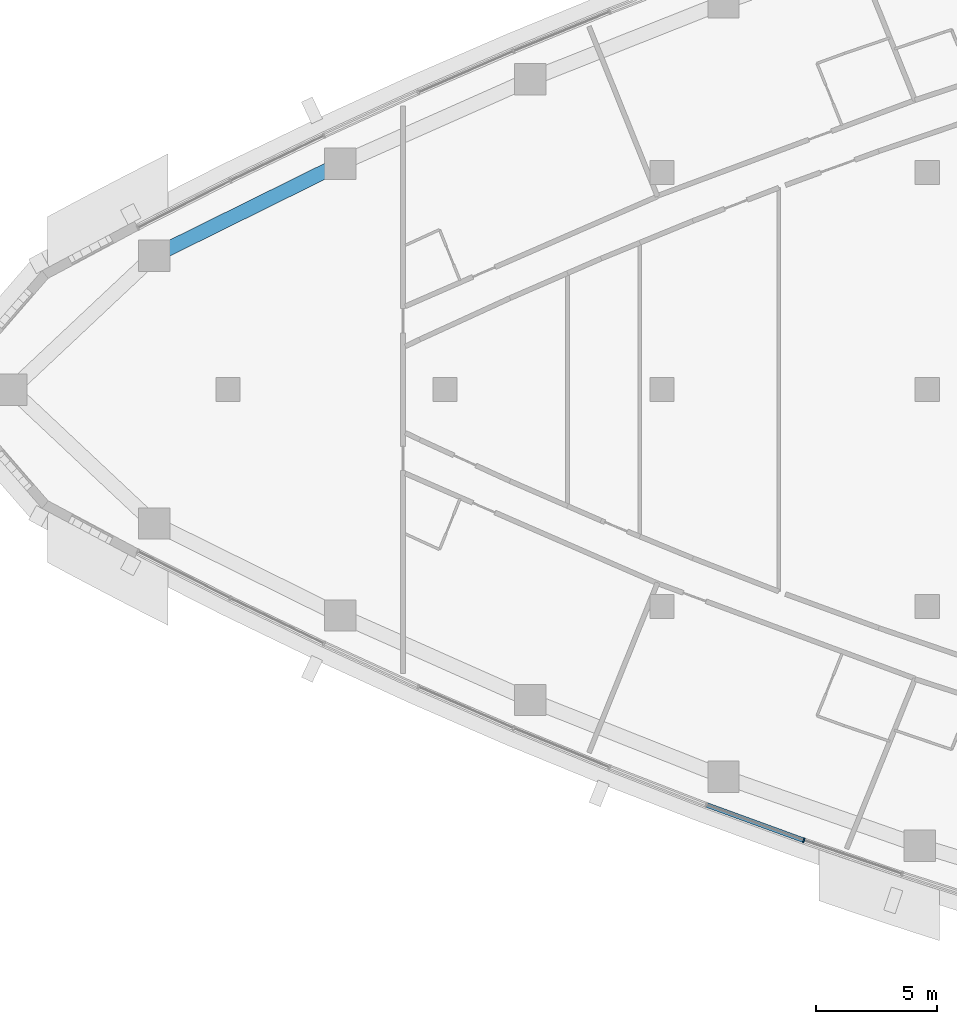
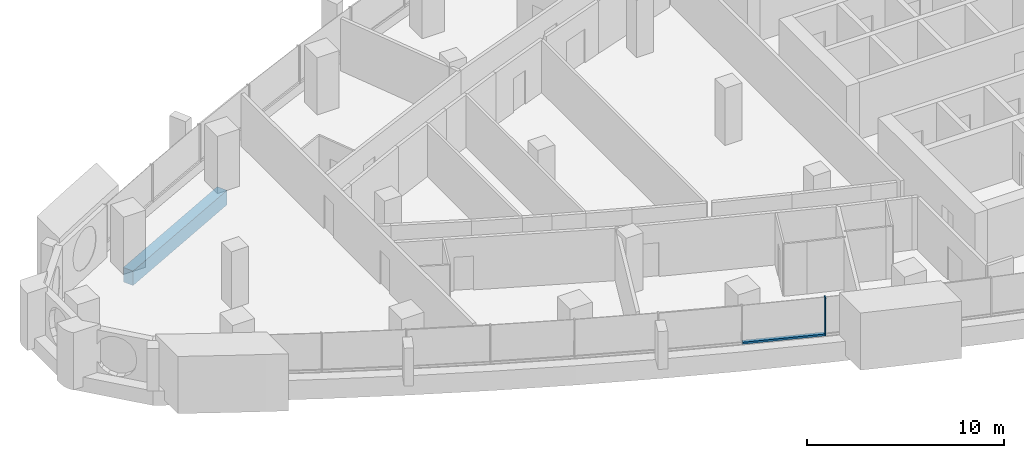
# One storey, part 3 of 17: 2 members, 1 beam, 1 element without a shape of its own.
"""IFC4 building model written with IfcOpenShell, lengths in metres."""

from ifc_helpers import new_model, si_unit, direction, frame, origin, origin_2d, place, context, subcontext, project, spatial, rectangle, extrude, material, layer, layer_set, material_profile, profile_set, type_object, element, aggregate, save


model = new_model("IFC4")

# Units and contexts
model_context = context("Model", 3, precision=1e-05, world=origin(), true_north=direction((0.0, 1.0)))
body_context = subcontext(model_context, "Body", "Model", "MODEL_VIEW")
ifc_project = project(units=[si_unit("LENGTHUNIT", "METRE"), si_unit("AREAUNIT", "SQUARE_METRE"), si_unit("VOLUMEUNIT", "CUBIC_METRE"), si_unit("PLANEANGLEUNIT", "RADIAN"), si_unit("MASSUNIT", "GRAM", prefix="KILO")], contexts=[model_context])

# Site, building, storey
site_placement = place(None, origin())
site = spatial("IfcSite", under=ifc_project, at=site_placement, CompositionType="ELEMENT")
building_placement = place(site_placement, origin())
building = spatial("IfcBuilding", under=site, at=building_placement, Name="Ostrand Prow Hotel Tower", CompositionType="ELEMENT")
storey_placement = place(building_placement, frame((0.0, 0.0, 182.60009765625)))
storey = spatial("IfcBuildingStorey", under=building, at=storey_placement, Name="L45", CompositionType="ELEMENT", Elevation=182.60009765625)

# Beam
ifc_material_1 = material(Name="Concrete C60/75", Category="concrete")
ifc_material_profile_1 = material_profile(ifc_material_1, rectangle(XDim=0.60009765625, YDim=0.89990234375, at=origin_2d()), Name="RC 600x900")
ifc_profile_set_1 = profile_set([ifc_material_profile_1], Name="Concrete C60/75")
beam_type = type_object("IfcBeamType", Name="Edge beam 600x900 C60/75", PredefinedType="SPANDREL", material=ifc_profile_set_1)
beam_placement = place(storey_placement, frame((20.656982421875, 9.373291015625, -0.75), z_axis=(-0.896383774903, -0.443278837856, 0.0), x_axis=(0.443278837856, -0.896383774903, 0.0)))
element("IfcBeam", 1, at=beam_placement, inside=storey, type_object=beam_type, Name="Edge beam N5-N6", PredefinedType="SPANDREL", context=body_context, shape_type="SweptSolid", body=[
    extrude(rectangle(XDim=0.60009765625, YDim=0.89990234375, at=origin_2d()), origin(), (0.0, 0.0, 1.0), 8.62158203125),
])

# Curtain wall, members
ifc_material_2 = material(Name="Insulated glass in bronze anodised frame", Category="glass")
ifc_layer = layer(ifc_material_2, 0.199951171875)
ifc_layer_set = layer_set([ifc_layer], Name="Insulated glass in bronze anodised frame")
curtain_wall_type = type_object("IfcCurtainWallType", Name="Strip curtain wall, fritted glass over bronze spandrel", PredefinedType="NOTDEFINED", material=ifc_layer_set)
curtain_wall_placement = place(storey_placement, origin())
curtain_wall = element("IfcCurtainWall", 2, at=curtain_wall_placement, inside=storey, type_object=curtain_wall_type, Name="CW1 run CWS4", PredefinedType="NOTDEFINED")
ifc_material_3 = material(Name="Bronze anodised aluminium", Category="aluminium")
ifc_material_profile_2 = material_profile(ifc_material_3, rectangle(XDim=0.199951171875, YDim=0.06005859375, at=origin_2d()), Name="Mullion 60x200 bronze anodised aluminium")
ifc_profile_set_2 = profile_set([ifc_material_profile_2], Name="Bronze anodised aluminium")
member_type_1 = type_object("IfcMemberType", Name="Mullion 60x200 bronze anodised aluminium", PredefinedType="MULLION", material=ifc_profile_set_2)
member_1_placement = place(storey_placement, frame((39.87939453125, -18.696533203125, 0.89990234375), z_axis=(0.0, 0.0, 1.0), x_axis=(0.322908332404, 0.946430245113, 0.0)))
member_1 = element("IfcMember", 3, at=member_1_placement, type_object=member_type_1, Name="CW1 mullion 2", PredefinedType="MULLION", context=body_context, shape_type="SweptSolid", body=[
    extrude(rectangle(XDim=0.199951171875, YDim=0.06005859375, at=origin_2d()), origin(), (0.0, 0.0, 1.0), 2.35009765625),
])
ifc_material_4 = material(Name="Bronze anodised aluminium", Category="aluminium")
ifc_material_profile_3 = material_profile(ifc_material_4, rectangle(XDim=0.199951171875, YDim=0.1201171875, at=origin_2d()), Name="Transom 120x200 bronze anodised aluminium")
ifc_profile_set_3 = profile_set([ifc_material_profile_3], Name="Bronze anodised aluminium")
member_type_2 = type_object("IfcMemberType", Name="Transom 120x200 bronze anodised aluminium", PredefinedType="USERDEFINED", material=ifc_profile_set_3)
member_2_placement = place(storey_placement, frame((35.86181640625, -17.235107421875, 0.9599609375), z_axis=(0.939753116272, -0.341853887584, 0.0), x_axis=(0.341853887584, 0.939753116272, 0.0)))
member_2 = element("IfcMember", 4, at=member_2_placement, type_object=member_type_2, Name="CW1 transom 1.1", ObjectType="TRANSOM", PredefinedType="USERDEFINED", context=body_context, shape_type="SweptSolid", body=[
    extrude(rectangle(XDim=0.199951171875, YDim=0.1201171875, at=origin_2d()), origin(), (0.0, 0.0, 1.0), 4.2451171875),
])
aggregate(curtain_wall, [member_1, member_2])

save(model, "model.ifc")
